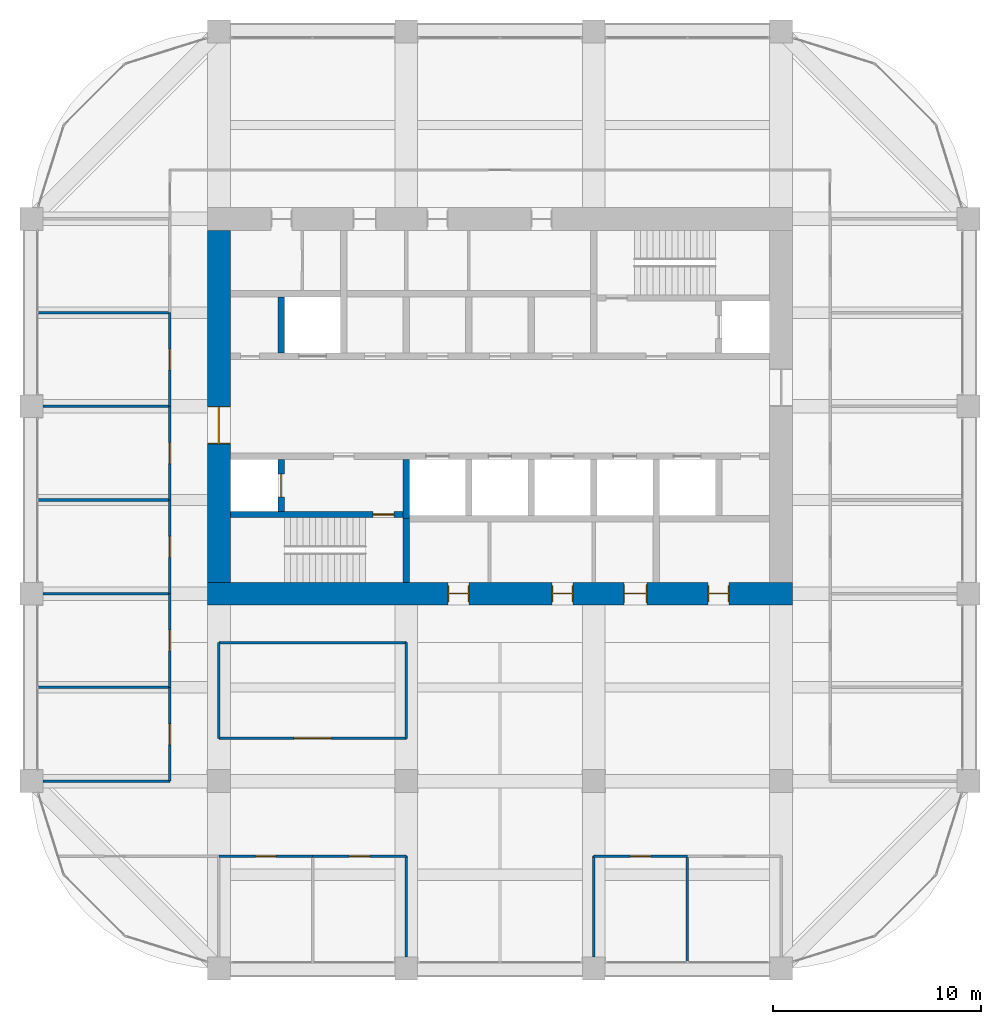
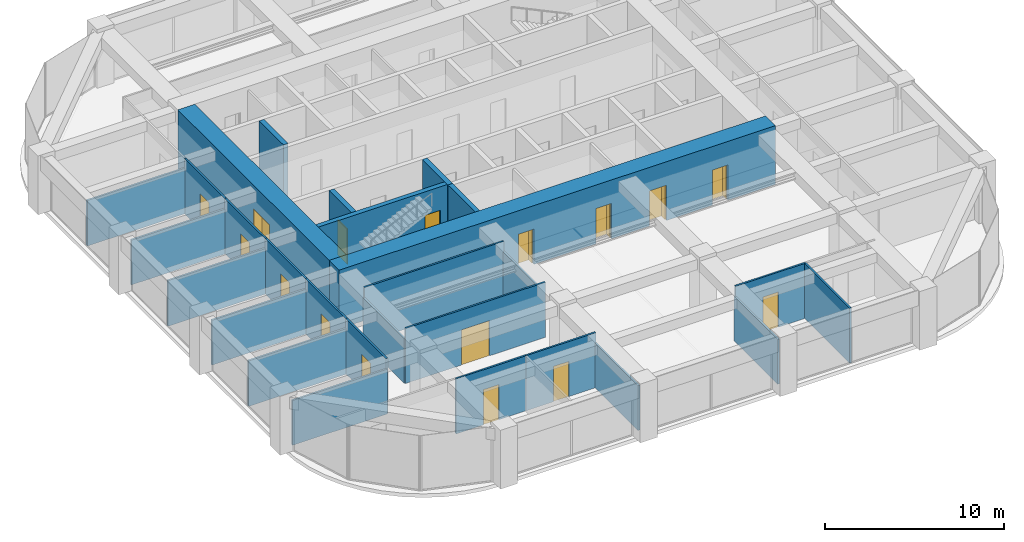
# One storey, part 41 of 44: 28 walls, 16 doors, 16 openings.
"""IFC4 building model written with IfcOpenShell, lengths in metres."""

from ifc_helpers import new_model, si_unit, direction, frame, frame_2d, origin, place, context, subcontext, project, spatial, rectangle, extrude, material, layer, layer_set, type_object, element, fill, save


model = new_model("IFC4")

# Units and contexts
model_context = context("Model", 3, precision=1e-05, world=origin(), true_north=direction((0.0, 1.0)))
body_context = subcontext(model_context, "Body", "Model", "MODEL_VIEW")
ifc_project = project(units=[si_unit("LENGTHUNIT", "METRE"), si_unit("AREAUNIT", "SQUARE_METRE"), si_unit("VOLUMEUNIT", "CUBIC_METRE"), si_unit("PLANEANGLEUNIT", "RADIAN"), si_unit("MASSUNIT", "GRAM", prefix="KILO")], contexts=[model_context])

# Site, building, storey
site_placement = place(None, origin())
site = spatial("IfcSite", under=ifc_project, at=site_placement, CompositionType="ELEMENT")
building_placement = place(site_placement, origin())
building = spatial("IfcBuilding", under=site, at=building_placement, Name="Zorevar Civic Tower", CompositionType="ELEMENT")
storey_placement = place(building_placement, frame((0.0, 0.0, 259.39990234375)))
storey = spatial("IfcBuildingStorey", under=building, at=storey_placement, Name="L63", CompositionType="ELEMENT", Elevation=259.39990234375)

# Wall, openings, doors
ifc_material_1 = material(Name="Concrete C50/60", Category="concrete")
ifc_layer_1 = layer(ifc_material_1, 1.10009765625)
ifc_layer_set_1 = layer_set([ifc_layer_1], Name="Core wall 1100")
wall_type_1 = type_object("IfcWallType", Name="Core wall 1100", PredefinedType="SHEAR", material=ifc_layer_set_1)
wall_1_placement = place(storey_placement, frame((17.449951171875, 18.0, 0.0), z_axis=(0.0, 0.0, 1.0), x_axis=(1.0, 0.0, 0.0)))
wall_1 = element("IfcWall", 1, at=wall_1_placement, inside=storey, type_object=wall_type_1, Name="Core wall S L63", PredefinedType="SHEAR", context=body_context, shape_type="SweptSolid", body=[
    extrude(rectangle(XDim=28.10009765625, YDim=1.10009765625, at=frame_2d((14.050048828125, 0.0))), origin(), (0.0, 0.0, 1.0), 4.0),
])
opening_1_placement = place(wall_1_placement, frame((11.550048828125, 0.0, 0.0)))
opening_1 = element("IfcOpeningElement", 2, at=opening_1_placement, cuts=wall_1, Name="Opening L63.03", PredefinedType="OPENING", context=body_context, shape_type="SweptSolid", body=[
    extrude(rectangle(XDim=1.0, YDim=2.39990234375, at=frame_2d((0.5, 1.199951171875))), frame((0.0, 0.56005859375, 0.0), z_axis=(0.0, -1.0, 0.0), x_axis=(1.0, 0.0, 0.0)), (0.0, 0.0, 1.0), 1.1201171875),
])
opening_2_placement = place(wall_1_placement, frame((16.550048828125, 0.0, 0.0)))
opening_2 = element("IfcOpeningElement", 3, at=opening_2_placement, cuts=wall_1, Name="Opening L63.04", PredefinedType="OPENING", context=body_context, shape_type="SweptSolid", body=[
    extrude(rectangle(XDim=1.0, YDim=2.39990234375, at=frame_2d((0.5, 1.199951171875))), frame((0.0, 0.56005859375, 0.0), z_axis=(0.0, -1.0, 0.0), x_axis=(1.0, 0.0, 0.0)), (0.0, 0.0, 1.0), 1.1201171875),
])
opening_3_placement = place(wall_1_placement, frame((20.0, 0.0, 0.0)))
opening_3 = element("IfcOpeningElement", 4, at=opening_3_placement, cuts=wall_1, Name="Opening L63.05", PredefinedType="OPENING", context=body_context, shape_type="SweptSolid", body=[
    extrude(rectangle(XDim=1.10009765625, YDim=2.39990234375, at=frame_2d((0.550048828125, 1.199951171875))), frame((0.0, 0.56005859375, 0.0), z_axis=(0.0, -1.0, 0.0), x_axis=(1.0, 0.0, 0.0)), (0.0, 0.0, 1.0), 1.1201171875),
])
opening_4_placement = place(wall_1_placement, frame((24.050048828125, 0.0, 0.0)))
opening_4 = element("IfcOpeningElement", 5, at=opening_4_placement, cuts=wall_1, Name="Opening L63.06", PredefinedType="OPENING", context=body_context, shape_type="SweptSolid", body=[
    extrude(rectangle(XDim=1.0, YDim=2.39990234375, at=frame_2d((0.5, 1.199951171875))), frame((0.0, 0.56005859375, 0.0), z_axis=(0.0, -1.0, 0.0), x_axis=(1.0, 0.0, 0.0)), (0.0, 0.0, 1.0), 1.1201171875),
])
ifc_material_2 = material(Name="Timber door set", Category="wood")
door_type_1 = type_object("IfcDoorType", Name="Door D1 1000x2400", OperationType="SINGLE_SWING_LEFT", PredefinedType="DOOR", material=ifc_material_2)
door_1_placement = place(opening_1_placement, origin())
door_1 = element("IfcDoor", 6, at=door_1_placement, inside=storey, type_object=door_type_1, Name="Door L63 02", OperationType="SINGLE_SWING_LEFT", OverallHeight=2.39990234375, OverallWidth=1.0, PredefinedType="DOOR", context=body_context, shape_type="SweptSolid", body=[
    extrude(rectangle(XDim=1.0, YDim=2.39990234375, at=frame_2d((0.5, 1.199951171875))), frame((0.0, 0.02490234375, 0.0), z_axis=(0.0, -1.0, 0.0), x_axis=(1.0, 0.0, 0.0)), (0.0, 0.0, 1.0), 0.050048828125),
    extrude(rectangle(XDim=0.04, YDim=2.39990234375, at=frame_2d((0.02001953125, 1.199951171875))), frame((0.0, 0.39990234375, 0.0), z_axis=(0.0, -1.0, 0.0), x_axis=(1.0, 0.0, 0.0)), (0.0, 0.0, 1.0), 0.800048828125),
    extrude(rectangle(XDim=0.04, YDim=2.39990234375, at=frame_2d((0.97998046875, 1.199951171875))), frame((0.0, 0.39990234375, 0.0), z_axis=(0.0, -1.0, 0.0), x_axis=(1.0, 0.0, 0.0)), (0.0, 0.0, 1.0), 0.800048828125),
    extrude(rectangle(XDim=1.0, YDim=0.04, at=frame_2d((0.5, 2.3798828125))), frame((0.0, 0.39990234375, 0.0), z_axis=(0.0, -1.0, 0.0), x_axis=(1.0, 0.0, 0.0)), (0.0, 0.0, 1.0), 0.800048828125),
])
fill(opening_1, door_1)
door_2_placement = place(opening_2_placement, origin())
door_2 = element("IfcDoor", 7, at=door_2_placement, inside=storey, type_object=door_type_1, Name="Door L63 03", OperationType="SINGLE_SWING_RIGHT", OverallHeight=2.39990234375, OverallWidth=1.0, PredefinedType="DOOR", context=body_context, shape_type="SweptSolid", body=[
    extrude(rectangle(XDim=1.0, YDim=2.39990234375, at=frame_2d((0.5, 1.199951171875))), frame((0.0, 0.02490234375, 0.0), z_axis=(0.0, -1.0, 0.0), x_axis=(1.0, 0.0, 0.0)), (0.0, 0.0, 1.0), 0.050048828125),
    extrude(rectangle(XDim=0.04, YDim=2.39990234375, at=frame_2d((0.02001953125, 1.199951171875))), frame((0.0, 0.39990234375, 0.0), z_axis=(0.0, -1.0, 0.0), x_axis=(1.0, 0.0, 0.0)), (0.0, 0.0, 1.0), 0.800048828125),
    extrude(rectangle(XDim=0.04, YDim=2.39990234375, at=frame_2d((0.97998046875, 1.199951171875))), frame((0.0, 0.39990234375, 0.0), z_axis=(0.0, -1.0, 0.0), x_axis=(1.0, 0.0, 0.0)), (0.0, 0.0, 1.0), 0.800048828125),
    extrude(rectangle(XDim=1.0, YDim=0.04, at=frame_2d((0.5, 2.3798828125))), frame((0.0, 0.39990234375, 0.0), z_axis=(0.0, -1.0, 0.0), x_axis=(1.0, 0.0, 0.0)), (0.0, 0.0, 1.0), 0.800048828125),
])
fill(opening_2, door_2)
door_3_placement = place(opening_4_placement, origin())
door_3 = element("IfcDoor", 8, at=door_3_placement, inside=storey, type_object=door_type_1, Name="Door L63 05", OperationType="SINGLE_SWING_RIGHT", OverallHeight=2.39990234375, OverallWidth=1.0, PredefinedType="DOOR", context=body_context, shape_type="SweptSolid", body=[
    extrude(rectangle(XDim=1.0, YDim=2.39990234375, at=frame_2d((0.5, 1.199951171875))), frame((0.0, 0.02490234375, 0.0), z_axis=(0.0, -1.0, 0.0), x_axis=(1.0, 0.0, 0.0)), (0.0, 0.0, 1.0), 0.050048828125),
    extrude(rectangle(XDim=0.04, YDim=2.39990234375, at=frame_2d((0.02001953125, 1.199951171875))), frame((0.0, 0.39990234375, 0.0), z_axis=(0.0, -1.0, 0.0), x_axis=(1.0, 0.0, 0.0)), (0.0, 0.0, 1.0), 0.800048828125),
    extrude(rectangle(XDim=0.04, YDim=2.39990234375, at=frame_2d((0.97998046875, 1.199951171875))), frame((0.0, 0.39990234375, 0.0), z_axis=(0.0, -1.0, 0.0), x_axis=(1.0, 0.0, 0.0)), (0.0, 0.0, 1.0), 0.800048828125),
    extrude(rectangle(XDim=1.0, YDim=0.04, at=frame_2d((0.5, 2.3798828125))), frame((0.0, 0.39990234375, 0.0), z_axis=(0.0, -1.0, 0.0), x_axis=(1.0, 0.0, 0.0)), (0.0, 0.0, 1.0), 0.800048828125),
])
fill(opening_4, door_3)
ifc_material_3 = material(Name="Timber door set", Category="wood")
door_type_2 = type_object("IfcDoorType", Name="Door D5 1100x2400", OperationType="SINGLE_SWING_LEFT", PredefinedType="DOOR", material=ifc_material_3)
door_4_placement = place(opening_3_placement, origin())
door_4 = element("IfcDoor", 9, at=door_4_placement, inside=storey, type_object=door_type_2, Name="Door L63 04", OperationType="SINGLE_SWING_RIGHT", OverallHeight=2.39990234375, OverallWidth=1.10009765625, PredefinedType="DOOR", context=body_context, shape_type="SweptSolid", body=[
    extrude(rectangle(XDim=1.10009765625, YDim=2.39990234375, at=frame_2d((0.550048828125, 1.199951171875))), frame((0.0, 0.02490234375, 0.0), z_axis=(0.0, -1.0, 0.0), x_axis=(1.0, 0.0, 0.0)), (0.0, 0.0, 1.0), 0.050048828125),
    extrude(rectangle(XDim=0.04, YDim=2.39990234375, at=frame_2d((0.02001953125, 1.199951171875))), frame((0.0, 0.43994140625, 0.0), z_axis=(0.0, -1.0, 0.0), x_axis=(1.0, 0.0, 0.0)), (0.0, 0.0, 1.0), 0.880126953125),
    extrude(rectangle(XDim=0.04, YDim=2.39990234375, at=frame_2d((1.080078125, 1.199951171875))), frame((0.0, 0.43994140625, 0.0), z_axis=(0.0, -1.0, 0.0), x_axis=(1.0, 0.0, 0.0)), (0.0, 0.0, 1.0), 0.880126953125),
    extrude(rectangle(XDim=1.10009765625, YDim=0.04, at=frame_2d((0.550048828125, 2.3798828125))), frame((0.0, 0.43994140625, 0.0), z_axis=(0.0, -1.0, 0.0), x_axis=(1.0, 0.0, 0.0)), (0.0, 0.0, 1.0), 0.880126953125),
])
fill(opening_3, door_4)

# Wall, opening, door
wall_2_placement = place(storey_placement, frame((18.0, 35.449951171875, 0.0), z_axis=(0.0, 0.0, 1.0), x_axis=(0.0, -1.0, 0.0)))
wall_2 = element("IfcWall", 10, at=wall_2_placement, inside=storey, type_object=wall_type_1, Name="Core wall W L63", PredefinedType="SHEAR", context=body_context, shape_type="SweptSolid", body=[
    extrude(rectangle(XDim=16.89990234375, YDim=1.10009765625, at=frame_2d((8.449951171875, 0.0))), origin(), (0.0, 0.0, 1.0), 4.0),
])
opening_5_placement = place(wall_2_placement, frame((8.449951171875, 0.0, 0.0)))
opening_5 = element("IfcOpeningElement", 11, at=opening_5_placement, cuts=wall_2, Name="Opening L63.01", PredefinedType="OPENING", context=body_context, shape_type="SweptSolid", body=[
    extrude(rectangle(XDim=1.800048828125, YDim=2.39990234375, at=frame_2d((0.89990234375, 1.199951171875))), frame((0.0, 0.56005859375, 0.0), z_axis=(0.0, -1.0, 0.0), x_axis=(1.0, 0.0, 0.0)), (0.0, 0.0, 1.0), 1.1201171875),
])
ifc_material_4 = material(Name="Steel door set", Category="steel")
door_type_3 = type_object("IfcDoorType", Name="Fire door FD2 1800x2400", OperationType="DOUBLE_DOOR_DOUBLE_SWING", PredefinedType="DOOR", material=ifc_material_4)
door_5_placement = place(opening_5_placement, origin())
door_5 = element("IfcDoor", 12, at=door_5_placement, inside=storey, type_object=door_type_3, Name="Door L63 00", OperationType="DOUBLE_DOOR_DOUBLE_SWING", OverallHeight=2.39990234375, OverallWidth=1.800048828125, PredefinedType="DOOR", context=body_context, shape_type="SweptSolid", body=[
    extrude(rectangle(XDim=1.800048828125, YDim=2.39990234375, at=frame_2d((0.89990234375, 1.199951171875))), frame((0.0, 0.030029296875, 0.0), z_axis=(0.0, -1.0, 0.0), x_axis=(1.0, 0.0, 0.0)), (0.0, 0.0, 1.0), 0.06005859375),
    extrude(rectangle(XDim=0.04, YDim=2.39990234375, at=frame_2d((0.02001953125, 1.199951171875))), frame((0.0, 0.5498046875, 0.0), z_axis=(0.0, -1.0, 0.0), x_axis=(1.0, 0.0, 0.0)), (0.0, 0.0, 1.0), 1.099609375),
    extrude(rectangle(XDim=0.04, YDim=2.39990234375, at=frame_2d((1.780029296875, 1.199951171875))), frame((0.0, 0.5498046875, 0.0), z_axis=(0.0, -1.0, 0.0), x_axis=(1.0, 0.0, 0.0)), (0.0, 0.0, 1.0), 1.099609375),
    extrude(rectangle(XDim=1.800048828125, YDim=0.04, at=frame_2d((0.89990234375, 2.3798828125))), frame((0.0, 0.5498046875, 0.0), z_axis=(0.0, -1.0, 0.0), x_axis=(1.0, 0.0, 0.0)), (0.0, 0.0, 1.0), 1.099609375),
])
fill(opening_5, door_5)

ifc_material_5 = material(Name="Concrete C40/50", Category="concrete")
ifc_layer_2 = layer(ifc_material_5, 0.300048828125)
ifc_layer_set_2 = layer_set([ifc_layer_2], Name="Inner core wall 300")
wall_type_2 = type_object("IfcWallType", Name="Inner core wall 300", PredefinedType="SHEAR", material=ifc_layer_set_2)
wall_3_placement = place(storey_placement, frame((18.550048828125, 21.800048828125, 0.0), z_axis=(0.0, 0.0, 1.0), x_axis=(1.0, 0.0, 0.0)))
wall_3 = element("IfcWall", 13, at=wall_3_placement, inside=storey, type_object=wall_type_2, Name="Inner core wall S00 L63", PredefinedType="SHEAR", context=body_context, shape_type="SweptSolid", body=[
    extrude(rectangle(XDim=8.300048828125, YDim=0.300048828125, at=frame_2d((4.14990234375, 0.0))), origin(), (0.0, 0.0, 1.0), 4.0),
])
opening_6_placement = place(wall_3_placement, frame((6.85009765625, 0.0, 0.0)))
opening_6 = element("IfcOpeningElement", 14, at=opening_6_placement, cuts=wall_3, Name="Opening L63.11", PredefinedType="OPENING", context=body_context, shape_type="SweptSolid", body=[
    extrude(rectangle(XDim=1.0, YDim=2.39990234375, at=frame_2d((0.5, 1.199951171875))), frame((0.0, 0.159912109375, 0.0), z_axis=(0.0, -1.0, 0.0), x_axis=(1.0, 0.0, 0.0)), (0.0, 0.0, 1.0), 0.320068359375),
])
ifc_material_6 = material(Name="Steel door set", Category="steel")
door_type_4 = type_object("IfcDoorType", Name="Fire door FD1 1000x2400", OperationType="SINGLE_SWING_LEFT", PredefinedType="DOOR", material=ifc_material_6)
door_6_placement = place(opening_6_placement, origin())
door_6 = element("IfcDoor", 15, at=door_6_placement, inside=storey, type_object=door_type_4, Name="Door L63 10", OperationType="SINGLE_SWING_RIGHT", OverallHeight=2.39990234375, OverallWidth=1.0, PredefinedType="DOOR", context=body_context, shape_type="SweptSolid", body=[
    extrude(rectangle(XDim=1.0, YDim=2.39990234375, at=frame_2d((0.5, 1.199951171875))), frame((0.0, 0.030029296875, 0.0), z_axis=(0.0, -1.0, 0.0), x_axis=(1.0, 0.0, 0.0)), (0.0, 0.0, 1.0), 0.06005859375),
])
fill(opening_6, door_6)

# Wall
wall_4_placement = place(storey_placement, frame((27.0, 18.550048828125, 0.0), z_axis=(0.0, 0.0, 1.0), x_axis=(0.0, 1.0, 0.0)))
element("IfcWall", 16, at=wall_4_placement, inside=storey, type_object=wall_type_2, Name="Inner core wall S01 L63", PredefinedType="SHEAR", context=body_context, shape_type="SweptSolid", body=[
    extrude(rectangle(XDim=3.050048828125, YDim=0.300048828125, at=frame_2d((1.52490234375, 0.0))), origin(), (0.0, 0.0, 1.0), 4.0),
])

# Wall, opening, door
wall_5_placement = place(storey_placement, frame((21.0, 21.949951171875, 0.0), z_axis=(0.0, 0.0, 1.0), x_axis=(0.0, 1.0, 0.0)))
wall_5 = element("IfcWall", 17, at=wall_5_placement, inside=storey, type_object=wall_type_2, Name="Inner core wall S02 L63", PredefinedType="SHEAR", context=body_context, shape_type="SweptSolid", body=[
    extrude(rectangle(XDim=2.5, YDim=0.300048828125, at=frame_2d((1.25, 0.0))), origin(), (0.0, 0.0, 1.0), 4.0),
])
opening_7_placement = place(wall_5_placement, frame((0.699951171875, 0.0, 0.0)))
opening_7 = element("IfcOpeningElement", 18, at=opening_7_placement, cuts=wall_5, Name="Opening L63.FL1", PredefinedType="OPENING", context=body_context, shape_type="SweptSolid", body=[
    extrude(rectangle(XDim=1.10009765625, YDim=2.39990234375, at=frame_2d((0.550048828125, 1.199951171875))), frame((0.0, 0.159912109375, 0.0), z_axis=(0.0, -1.0, 0.0), x_axis=(1.0, 0.0, 0.0)), (0.0, 0.0, 1.0), 0.320068359375),
])
ifc_material_7 = material(Name="Steel door set", Category="steel")
door_type_5 = type_object("IfcDoorType", Name="Firefighting lift landing door LD3 1100x2400", OperationType="DOUBLE_DOOR_SLIDING", PredefinedType="DOOR", material=ifc_material_7)
door_7_placement = place(opening_7_placement, origin())
door_7 = element("IfcDoor", 19, at=door_7_placement, inside=storey, type_object=door_type_5, Name="Landing door FL1 L63", OperationType="DOUBLE_DOOR_SLIDING", OverallHeight=2.39990234375, OverallWidth=1.10009765625, PredefinedType="DOOR", context=body_context, shape_type="SweptSolid", body=[
    extrude(rectangle(XDim=1.10009765625, YDim=2.39990234375, at=frame_2d((0.550048828125, 1.199951171875))), frame((0.0, 0.030029296875, 0.0), z_axis=(0.0, -1.0, 0.0), x_axis=(1.0, 0.0, 0.0)), (0.0, 0.0, 1.0), 0.06005859375),
])
fill(opening_7, door_7)

# Walls
wall_6_placement = place(storey_placement, frame((21.0, 29.550048828125, 0.0), z_axis=(0.0, 0.0, 1.0), x_axis=(0.0, 1.0, 0.0)))
element("IfcWall", 20, at=wall_6_placement, inside=storey, type_object=wall_type_2, Name="Inner core wall N09 L63", PredefinedType="SHEAR", context=body_context, shape_type="SweptSolid", body=[
    extrude(rectangle(XDim=2.699951171875, YDim=0.300048828125, at=frame_2d((1.35009765625, 0.0))), origin(), (0.0, 0.0, 1.0), 4.0),
])
wall_7_placement = place(storey_placement, frame((27.0, 21.60009765625, 0.0), z_axis=(0.0, 0.0, 1.0), x_axis=(0.0, 1.0, 0.0)))
element("IfcWall", 21, at=wall_7_placement, inside=storey, type_object=wall_type_2, Name="Inner core wall S10 L63", PredefinedType="SHEAR", context=body_context, shape_type="SweptSolid", body=[
    extrude(rectangle(XDim=2.849853515625, YDim=0.300048828125, at=frame_2d((1.4248046875, 0.0))), origin(), (0.0, 0.0, 1.0), 4.0),
])

# Wall, opening, door
ifc_material_8 = material(Name="Gypsum board on steel studs", Category="steel")
ifc_layer_3 = layer(ifc_material_8, 0.1201171875)
ifc_layer_set_3 = layer_set([ifc_layer_3], Name="Partition 120")
wall_type_3 = type_object("IfcWallType", Name="Partition 120", PredefinedType="PARTITIONING", material=ifc_layer_set_3)
wall_8_placement = place(storey_placement, frame((18.0, 5.39990234375, 0.0), z_axis=(0.0, 0.0, 1.0), x_axis=(1.0, 0.0, 0.0)))
wall_8 = element("IfcWall", 22, at=wall_8_placement, inside=storey, type_object=wall_type_3, Name="Partition 120 L63", PredefinedType="PARTITIONING", context=body_context, shape_type="SweptSolid", body=[
    extrude(rectangle(XDim=4.5, YDim=0.1201171875, at=frame_2d((2.25, 0.0))), origin(), (0.0, 0.0, 1.0), 3.75),
])
opening_8_placement = place(wall_8_placement, frame((1.75, 0.0, 0.0)))
opening_8 = element("IfcOpeningElement", 23, at=opening_8_placement, cuts=wall_8, Name="Opening L63.17", PredefinedType="OPENING", context=body_context, shape_type="SweptSolid", body=[
    extrude(rectangle(XDim=1.0, YDim=2.39990234375, at=frame_2d((0.5, 1.199951171875))), frame((0.0, 0.070068359375, 0.0), z_axis=(0.0, -1.0, 0.0), x_axis=(1.0, 0.0, 0.0)), (0.0, 0.0, 1.0), 0.14013671875),
])
door_8_placement = place(opening_8_placement, origin())
door_8 = element("IfcDoor", 24, at=door_8_placement, inside=storey, type_object=door_type_1, Name="Door L63 D1", OperationType="SINGLE_SWING_RIGHT", OverallHeight=2.39990234375, OverallWidth=1.0, PredefinedType="DOOR", context=body_context, shape_type="SweptSolid", body=[
    extrude(rectangle(XDim=1.0, YDim=2.39990234375, at=frame_2d((0.5, 1.199951171875))), frame((0.0, 0.02490234375, 0.0), z_axis=(0.0, -1.0, 0.0), x_axis=(1.0, 0.0, 0.0)), (0.0, 0.0, 1.0), 0.050048828125),
])
fill(opening_8, door_8)

wall_9_placement = place(storey_placement, frame((22.5, 5.39990234375, 0.0), z_axis=(0.0, 0.0, 1.0), x_axis=(1.0, 0.0, 0.0)))
wall_9 = element("IfcWall", 25, at=wall_9_placement, inside=storey, type_object=wall_type_3, Name="Partition 120 L63", PredefinedType="PARTITIONING", context=body_context, shape_type="SweptSolid", body=[
    extrude(rectangle(XDim=4.5, YDim=0.1201171875, at=frame_2d((2.25, 0.0))), origin(), (0.0, 0.0, 1.0), 3.75),
])
opening_9_placement = place(wall_9_placement, frame((1.75, 0.0, 0.0)))
opening_9 = element("IfcOpeningElement", 26, at=opening_9_placement, cuts=wall_9, Name="Opening L63.18", PredefinedType="OPENING", context=body_context, shape_type="SweptSolid", body=[
    extrude(rectangle(XDim=1.0, YDim=2.39990234375, at=frame_2d((0.5, 1.199951171875))), frame((0.0, 0.070068359375, 0.0), z_axis=(0.0, -1.0, 0.0), x_axis=(1.0, 0.0, 0.0)), (0.0, 0.0, 1.0), 0.14013671875),
])
door_9_placement = place(opening_9_placement, origin())
door_9 = element("IfcDoor", 27, at=door_9_placement, inside=storey, type_object=door_type_1, Name="Door L63 D1", OperationType="SINGLE_SWING_LEFT", OverallHeight=2.39990234375, OverallWidth=1.0, PredefinedType="DOOR", context=body_context, shape_type="SweptSolid", body=[
    extrude(rectangle(XDim=1.0, YDim=2.39990234375, at=frame_2d((0.5, 1.199951171875))), frame((0.0, 0.02490234375, 0.0), z_axis=(0.0, -1.0, 0.0), x_axis=(1.0, 0.0, 0.0)), (0.0, 0.0, 1.0), 0.050048828125),
])
fill(opening_9, door_9)

wall_10_placement = place(storey_placement, frame((36.0, 5.39990234375, 0.0), z_axis=(0.0, 0.0, 1.0), x_axis=(1.0, 0.0, 0.0)))
wall_10 = element("IfcWall", 28, at=wall_10_placement, inside=storey, type_object=wall_type_3, Name="Partition 120 L63", PredefinedType="PARTITIONING", context=body_context, shape_type="SweptSolid", body=[
    extrude(rectangle(XDim=4.5, YDim=0.1201171875, at=frame_2d((2.25, 0.0))), origin(), (0.0, 0.0, 1.0), 3.75),
])
opening_10_placement = place(wall_10_placement, frame((1.75, 0.0, 0.0)))
opening_10 = element("IfcOpeningElement", 29, at=opening_10_placement, cuts=wall_10, Name="Opening L63.19", PredefinedType="OPENING", context=body_context, shape_type="SweptSolid", body=[
    extrude(rectangle(XDim=1.0, YDim=2.39990234375, at=frame_2d((0.5, 1.199951171875))), frame((0.0, 0.070068359375, 0.0), z_axis=(0.0, -1.0, 0.0), x_axis=(1.0, 0.0, 0.0)), (0.0, 0.0, 1.0), 0.14013671875),
])
door_10_placement = place(opening_10_placement, origin())
door_10 = element("IfcDoor", 30, at=door_10_placement, inside=storey, type_object=door_type_1, Name="Door L63 D1", OperationType="SINGLE_SWING_RIGHT", OverallHeight=2.39990234375, OverallWidth=1.0, PredefinedType="DOOR", context=body_context, shape_type="SweptSolid", body=[
    extrude(rectangle(XDim=1.0, YDim=2.39990234375, at=frame_2d((0.5, 1.199951171875))), frame((0.0, 0.02490234375, 0.0), z_axis=(0.0, -1.0, 0.0), x_axis=(1.0, 0.0, 0.0)), (0.0, 0.0, 1.0), 0.050048828125),
])
fill(opening_10, door_10)

# Wall
wall_11_placement = place(storey_placement, frame((9.550048828125, 9.0, 0.0), z_axis=(0.0, 0.0, 1.0), x_axis=(1.0, 0.0, 0.0)))
element("IfcWall", 31, at=wall_11_placement, inside=storey, type_object=wall_type_3, Name="Partition 120 L63", PredefinedType="PARTITIONING", context=body_context, shape_type="SweptSolid", body=[
    extrude(rectangle(XDim=6.099853515625, YDim=0.1201171875, at=frame_2d((3.0498046875, 0.0))), origin(), (0.0, 0.0, 1.0), 3.050048828125),
])

# Wall, opening, door
wall_12_placement = place(storey_placement, frame((18.0, 11.050048828125, 0.0), z_axis=(0.0, 0.0, 1.0), x_axis=(1.0, 0.0, 0.0)))
wall_12 = element("IfcWall", 32, at=wall_12_placement, inside=storey, type_object=wall_type_3, Name="Partition 120 L63", PredefinedType="PARTITIONING", context=body_context, shape_type="SweptSolid", body=[
    extrude(rectangle(XDim=9.0, YDim=0.1201171875, at=frame_2d((4.5, 0.0))), origin(), (0.0, 0.0, 1.0), 3.75),
])
opening_11_placement = place(wall_12_placement, frame((3.60009765625, 0.0, 0.0)))
opening_11 = element("IfcOpeningElement", 33, at=opening_11_placement, cuts=wall_12, Name="Opening L63.22", PredefinedType="OPENING", context=body_context, shape_type="SweptSolid", body=[
    extrude(rectangle(XDim=1.800048828125, YDim=2.39990234375, at=frame_2d((0.89990234375, 1.199951171875))), frame((0.0, 0.070068359375, 0.0), z_axis=(0.0, -1.0, 0.0), x_axis=(1.0, 0.0, 0.0)), (0.0, 0.0, 1.0), 0.14013671875),
])
ifc_material_9 = material(Name="Steel door set", Category="steel")
door_type_6 = type_object("IfcDoorType", Name="Door D2 1800x2400", OperationType="DOUBLE_DOOR_SINGLE_SWING", PredefinedType="DOOR", material=ifc_material_9)
door_11_placement = place(opening_11_placement, origin())
door_11 = element("IfcDoor", 34, at=door_11_placement, inside=storey, type_object=door_type_6, Name="Door L63 D1", OperationType="DOUBLE_DOOR_SINGLE_SWING", OverallHeight=2.39990234375, OverallWidth=1.800048828125, PredefinedType="DOOR", context=body_context, shape_type="SweptSolid", body=[
    extrude(rectangle(XDim=1.800048828125, YDim=2.39990234375, at=frame_2d((0.89990234375, 1.199951171875))), frame((0.0, 0.02490234375, 0.0), z_axis=(0.0, -1.0, 0.0), x_axis=(1.0, 0.0, 0.0)), (0.0, 0.0, 1.0), 0.050048828125),
])
fill(opening_11, door_11)

# Walls
wall_13_placement = place(storey_placement, frame((9.31005859375, 13.5, 0.0), z_axis=(0.0, 0.0, 1.0), x_axis=(1.0, 0.0, 0.0)))
element("IfcWall", 35, at=wall_13_placement, inside=storey, type_object=wall_type_3, Name="Partition 120 L63", PredefinedType="PARTITIONING", context=body_context, shape_type="SweptSolid", body=[
    extrude(rectangle(XDim=6.33984375, YDim=0.1201171875, at=frame_2d((3.169921875, 0.0))), origin(), (0.0, 0.0, 1.0), 3.10009765625),
])
wall_14_placement = place(storey_placement, frame((18.0, 15.64990234375, 0.0), z_axis=(0.0, 0.0, 1.0), x_axis=(1.0, 0.0, 0.0)))
element("IfcWall", 36, at=wall_14_placement, inside=storey, type_object=wall_type_3, Name="Partition 120 L63", PredefinedType="PARTITIONING", context=body_context, shape_type="SweptSolid", body=[
    extrude(rectangle(XDim=9.0, YDim=0.1201171875, at=frame_2d((4.5, 0.0))), origin(), (0.0, 0.0, 1.0), 3.75),
])
wall_15_placement = place(storey_placement, frame((9.550048828125, 18.0, 0.0), z_axis=(0.0, 0.0, 1.0), x_axis=(1.0, 0.0, 0.0)))
element("IfcWall", 37, at=wall_15_placement, inside=storey, type_object=wall_type_3, Name="Partition 120 L63", PredefinedType="PARTITIONING", context=body_context, shape_type="SweptSolid", body=[
    extrude(rectangle(XDim=6.099853515625, YDim=0.1201171875, at=frame_2d((3.0498046875, 0.0))), origin(), (0.0, 0.0, 1.0), 3.050048828125),
])
wall_16_placement = place(storey_placement, frame((9.31005859375, 22.5, 0.0), z_axis=(0.0, 0.0, 1.0), x_axis=(1.0, 0.0, 0.0)))
element("IfcWall", 38, at=wall_16_placement, inside=storey, type_object=wall_type_3, Name="Partition 120 L63", PredefinedType="PARTITIONING", context=body_context, shape_type="SweptSolid", body=[
    extrude(rectangle(XDim=6.33984375, YDim=0.1201171875, at=frame_2d((3.169921875, 0.0))), origin(), (0.0, 0.0, 1.0), 3.10009765625),
])
wall_17_placement = place(storey_placement, frame((9.550048828125, 27.0, 0.0), z_axis=(0.0, 0.0, 1.0), x_axis=(1.0, 0.0, 0.0)))
element("IfcWall", 39, at=wall_17_placement, inside=storey, type_object=wall_type_3, Name="Partition 120 L63", PredefinedType="PARTITIONING", context=body_context, shape_type="SweptSolid", body=[
    extrude(rectangle(XDim=6.099853515625, YDim=0.1201171875, at=frame_2d((3.0498046875, 0.0))), origin(), (0.0, 0.0, 1.0), 3.050048828125),
])
wall_18_placement = place(storey_placement, frame((9.31005859375, 31.5, 0.0), z_axis=(0.0, 0.0, 1.0), x_axis=(1.0, 0.0, 0.0)))
element("IfcWall", 40, at=wall_18_placement, inside=storey, type_object=wall_type_3, Name="Partition 120 L63", PredefinedType="PARTITIONING", context=body_context, shape_type="SweptSolid", body=[
    extrude(rectangle(XDim=6.33984375, YDim=0.1201171875, at=frame_2d((3.169921875, 0.0))), origin(), (0.0, 0.0, 1.0), 3.10009765625),
])

# Wall, opening, door
wall_19_placement = place(storey_placement, frame((15.64990234375, 9.0, 0.0), z_axis=(0.0, 0.0, 1.0), x_axis=(0.0, 1.0, 0.0)))
wall_19 = element("IfcWall", 41, at=wall_19_placement, inside=storey, type_object=wall_type_3, Name="Partition 120 L63", PredefinedType="PARTITIONING", context=body_context, shape_type="SweptSolid", body=[
    extrude(rectangle(XDim=4.5, YDim=0.1201171875, at=frame_2d((2.25, 0.0))), origin(), (0.0, 0.0, 1.0), 3.75),
])
opening_12_placement = place(wall_19_placement, frame((1.75, 0.0, 0.0)))
opening_12 = element("IfcOpeningElement", 42, at=opening_12_placement, cuts=wall_19, Name="Opening L63.24", PredefinedType="OPENING", context=body_context, shape_type="SweptSolid", body=[
    extrude(rectangle(XDim=1.0, YDim=2.39990234375, at=frame_2d((0.5, 1.199951171875))), frame((0.0, 0.070068359375, 0.0), z_axis=(0.0, -1.0, 0.0), x_axis=(1.0, 0.0, 0.0)), (0.0, 0.0, 1.0), 0.14013671875),
])
door_12_placement = place(opening_12_placement, origin())
door_12 = element("IfcDoor", 43, at=door_12_placement, inside=storey, type_object=door_type_1, Name="Door L63 D1", OperationType="SINGLE_SWING_RIGHT", OverallHeight=2.39990234375, OverallWidth=1.0, PredefinedType="DOOR", context=body_context, shape_type="SweptSolid", body=[
    extrude(rectangle(XDim=1.0, YDim=2.39990234375, at=frame_2d((0.5, 1.199951171875))), frame((0.0, 0.02490234375, 0.0), z_axis=(0.0, -1.0, 0.0), x_axis=(1.0, 0.0, 0.0)), (0.0, 0.0, 1.0), 0.050048828125),
])
fill(opening_12, door_12)

wall_20_placement = place(storey_placement, frame((15.64990234375, 13.5, 0.0), z_axis=(0.0, 0.0, 1.0), x_axis=(0.0, 1.0, 0.0)))
wall_20 = element("IfcWall", 44, at=wall_20_placement, inside=storey, type_object=wall_type_3, Name="Partition 120 L63", PredefinedType="PARTITIONING", context=body_context, shape_type="SweptSolid", body=[
    extrude(rectangle(XDim=4.5, YDim=0.1201171875, at=frame_2d((2.25, 0.0))), origin(), (0.0, 0.0, 1.0), 3.75),
])
opening_13_placement = place(wall_20_placement, frame((1.75, 0.0, 0.0)))
opening_13 = element("IfcOpeningElement", 45, at=opening_13_placement, cuts=wall_20, Name="Opening L63.25", PredefinedType="OPENING", context=body_context, shape_type="SweptSolid", body=[
    extrude(rectangle(XDim=1.0, YDim=2.39990234375, at=frame_2d((0.5, 1.199951171875))), frame((0.0, 0.070068359375, 0.0), z_axis=(0.0, -1.0, 0.0), x_axis=(1.0, 0.0, 0.0)), (0.0, 0.0, 1.0), 0.14013671875),
])
door_13_placement = place(opening_13_placement, origin())
door_13 = element("IfcDoor", 46, at=door_13_placement, inside=storey, type_object=door_type_1, Name="Door L63 D1", OperationType="SINGLE_SWING_LEFT", OverallHeight=2.39990234375, OverallWidth=1.0, PredefinedType="DOOR", context=body_context, shape_type="SweptSolid", body=[
    extrude(rectangle(XDim=1.0, YDim=2.39990234375, at=frame_2d((0.5, 1.199951171875))), frame((0.0, 0.02490234375, 0.0), z_axis=(0.0, -1.0, 0.0), x_axis=(1.0, 0.0, 0.0)), (0.0, 0.0, 1.0), 0.050048828125),
])
fill(opening_13, door_13)

wall_21_placement = place(storey_placement, frame((15.64990234375, 18.0, 0.0), z_axis=(0.0, 0.0, 1.0), x_axis=(0.0, 1.0, 0.0)))
wall_21 = element("IfcWall", 47, at=wall_21_placement, inside=storey, type_object=wall_type_3, Name="Partition 120 L63", PredefinedType="PARTITIONING", context=body_context, shape_type="SweptSolid", body=[
    extrude(rectangle(XDim=4.5, YDim=0.1201171875, at=frame_2d((2.25, 0.0))), origin(), (0.0, 0.0, 1.0), 3.75),
])
opening_14_placement = place(wall_21_placement, frame((1.75, 0.0, 0.0)))
opening_14 = element("IfcOpeningElement", 48, at=opening_14_placement, cuts=wall_21, Name="Opening L63.26", PredefinedType="OPENING", context=body_context, shape_type="SweptSolid", body=[
    extrude(rectangle(XDim=1.0, YDim=2.39990234375, at=frame_2d((0.5, 1.199951171875))), frame((0.0, 0.070068359375, 0.0), z_axis=(0.0, -1.0, 0.0), x_axis=(1.0, 0.0, 0.0)), (0.0, 0.0, 1.0), 0.14013671875),
])
door_14_placement = place(opening_14_placement, origin())
door_14 = element("IfcDoor", 49, at=door_14_placement, inside=storey, type_object=door_type_1, Name="Door L63 D1", OperationType="SINGLE_SWING_LEFT", OverallHeight=2.39990234375, OverallWidth=1.0, PredefinedType="DOOR", context=body_context, shape_type="SweptSolid", body=[
    extrude(rectangle(XDim=1.0, YDim=2.39990234375, at=frame_2d((0.5, 1.199951171875))), frame((0.0, 0.02490234375, 0.0), z_axis=(0.0, -1.0, 0.0), x_axis=(1.0, 0.0, 0.0)), (0.0, 0.0, 1.0), 0.050048828125),
])
fill(opening_14, door_14)

wall_22_placement = place(storey_placement, frame((15.64990234375, 22.5, 0.0), z_axis=(0.0, 0.0, 1.0), x_axis=(0.0, 1.0, 0.0)))
wall_22 = element("IfcWall", 50, at=wall_22_placement, inside=storey, type_object=wall_type_3, Name="Partition 120 L63", PredefinedType="PARTITIONING", context=body_context, shape_type="SweptSolid", body=[
    extrude(rectangle(XDim=4.5, YDim=0.1201171875, at=frame_2d((2.25, 0.0))), origin(), (0.0, 0.0, 1.0), 3.75),
])
opening_15_placement = place(wall_22_placement, frame((1.75, 0.0, 0.0)))
opening_15 = element("IfcOpeningElement", 51, at=opening_15_placement, cuts=wall_22, Name="Opening L63.27", PredefinedType="OPENING", context=body_context, shape_type="SweptSolid", body=[
    extrude(rectangle(XDim=1.0, YDim=2.39990234375, at=frame_2d((0.5, 1.199951171875))), frame((0.0, 0.070068359375, 0.0), z_axis=(0.0, -1.0, 0.0), x_axis=(1.0, 0.0, 0.0)), (0.0, 0.0, 1.0), 0.14013671875),
])
door_15_placement = place(opening_15_placement, origin())
door_15 = element("IfcDoor", 52, at=door_15_placement, inside=storey, type_object=door_type_1, Name="Door L63 D1", OperationType="SINGLE_SWING_LEFT", OverallHeight=2.39990234375, OverallWidth=1.0, PredefinedType="DOOR", context=body_context, shape_type="SweptSolid", body=[
    extrude(rectangle(XDim=1.0, YDim=2.39990234375, at=frame_2d((0.5, 1.199951171875))), frame((0.0, 0.02490234375, 0.0), z_axis=(0.0, -1.0, 0.0), x_axis=(1.0, 0.0, 0.0)), (0.0, 0.0, 1.0), 0.050048828125),
])
fill(opening_15, door_15)

wall_23_placement = place(storey_placement, frame((15.64990234375, 27.0, 0.0), z_axis=(0.0, 0.0, 1.0), x_axis=(0.0, 1.0, 0.0)))
wall_23 = element("IfcWall", 53, at=wall_23_placement, inside=storey, type_object=wall_type_3, Name="Partition 120 L63", PredefinedType="PARTITIONING", context=body_context, shape_type="SweptSolid", body=[
    extrude(rectangle(XDim=4.5, YDim=0.1201171875, at=frame_2d((2.25, 0.0))), origin(), (0.0, 0.0, 1.0), 3.75),
])
opening_16_placement = place(wall_23_placement, frame((1.75, 0.0, 0.0)))
opening_16 = element("IfcOpeningElement", 54, at=opening_16_placement, cuts=wall_23, Name="Opening L63.28", PredefinedType="OPENING", context=body_context, shape_type="SweptSolid", body=[
    extrude(rectangle(XDim=1.0, YDim=2.39990234375, at=frame_2d((0.5, 1.199951171875))), frame((0.0, 0.070068359375, 0.0), z_axis=(0.0, -1.0, 0.0), x_axis=(1.0, 0.0, 0.0)), (0.0, 0.0, 1.0), 0.14013671875),
])
door_16_placement = place(opening_16_placement, origin())
door_16 = element("IfcDoor", 55, at=door_16_placement, inside=storey, type_object=door_type_1, Name="Door L63 D1", OperationType="SINGLE_SWING_RIGHT", OverallHeight=2.39990234375, OverallWidth=1.0, PredefinedType="DOOR", context=body_context, shape_type="SweptSolid", body=[
    extrude(rectangle(XDim=1.0, YDim=2.39990234375, at=frame_2d((0.5, 1.199951171875))), frame((0.0, 0.02490234375, 0.0), z_axis=(0.0, -1.0, 0.0), x_axis=(1.0, 0.0, 0.0)), (0.0, 0.0, 1.0), 0.050048828125),
])
fill(opening_16, door_16)

# Walls
wall_24_placement = place(storey_placement, frame((18.0, 11.050048828125, 0.0), z_axis=(0.0, 0.0, 1.0), x_axis=(0.0, 1.0, 0.0)))
element("IfcWall", 56, at=wall_24_placement, inside=storey, type_object=wall_type_3, Name="Partition 120 L63", PredefinedType="PARTITIONING", context=body_context, shape_type="SweptSolid", body=[
    extrude(rectangle(XDim=4.599853515625, YDim=0.1201171875, at=frame_2d((2.2998046875, 0.0))), origin(), (0.0, 0.0, 1.0), 3.050048828125),
])
wall_25_placement = place(storey_placement, frame((27.0, 0.550048828125, 0.0), z_axis=(0.0, 0.0, 1.0), x_axis=(0.0, 1.0, 0.0)))
element("IfcWall", 57, at=wall_25_placement, inside=storey, type_object=wall_type_3, Name="Partition 120 L63", PredefinedType="PARTITIONING", context=body_context, shape_type="SweptSolid", body=[
    extrude(rectangle(XDim=4.849853515625, YDim=0.1201171875, at=frame_2d((2.4248046875, 0.0))), origin(), (0.0, 0.0, 1.0), 3.050048828125),
])
wall_26_placement = place(storey_placement, frame((27.0, 11.050048828125, 0.0), z_axis=(0.0, 0.0, 1.0), x_axis=(0.0, 1.0, 0.0)))
element("IfcWall", 58, at=wall_26_placement, inside=storey, type_object=wall_type_3, Name="Partition 120 L63", PredefinedType="PARTITIONING", context=body_context, shape_type="SweptSolid", body=[
    extrude(rectangle(XDim=4.599853515625, YDim=0.1201171875, at=frame_2d((2.2998046875, 0.0))), origin(), (0.0, 0.0, 1.0), 3.050048828125),
])
wall_27_placement = place(storey_placement, frame((36.0, 0.550048828125, 0.0), z_axis=(0.0, 0.0, 1.0), x_axis=(0.0, 1.0, 0.0)))
element("IfcWall", 59, at=wall_27_placement, inside=storey, type_object=wall_type_3, Name="Partition 120 L63", PredefinedType="PARTITIONING", context=body_context, shape_type="SweptSolid", body=[
    extrude(rectangle(XDim=4.849853515625, YDim=0.1201171875, at=frame_2d((2.4248046875, 0.0))), origin(), (0.0, 0.0, 1.0), 3.050048828125),
])
wall_28_placement = place(storey_placement, frame((40.5, 0.31005859375, 0.0), z_axis=(0.0, 0.0, 1.0), x_axis=(0.0, 1.0, 0.0)))
element("IfcWall", 60, at=wall_28_placement, inside=storey, type_object=wall_type_3, Name="Partition 120 L63", PredefinedType="PARTITIONING", context=body_context, shape_type="SweptSolid", body=[
    extrude(rectangle(XDim=5.08984375, YDim=0.1201171875, at=frame_2d((2.544921875, 0.0))), origin(), (0.0, 0.0, 1.0), 3.75),
])

save(model, "model.ifc")
